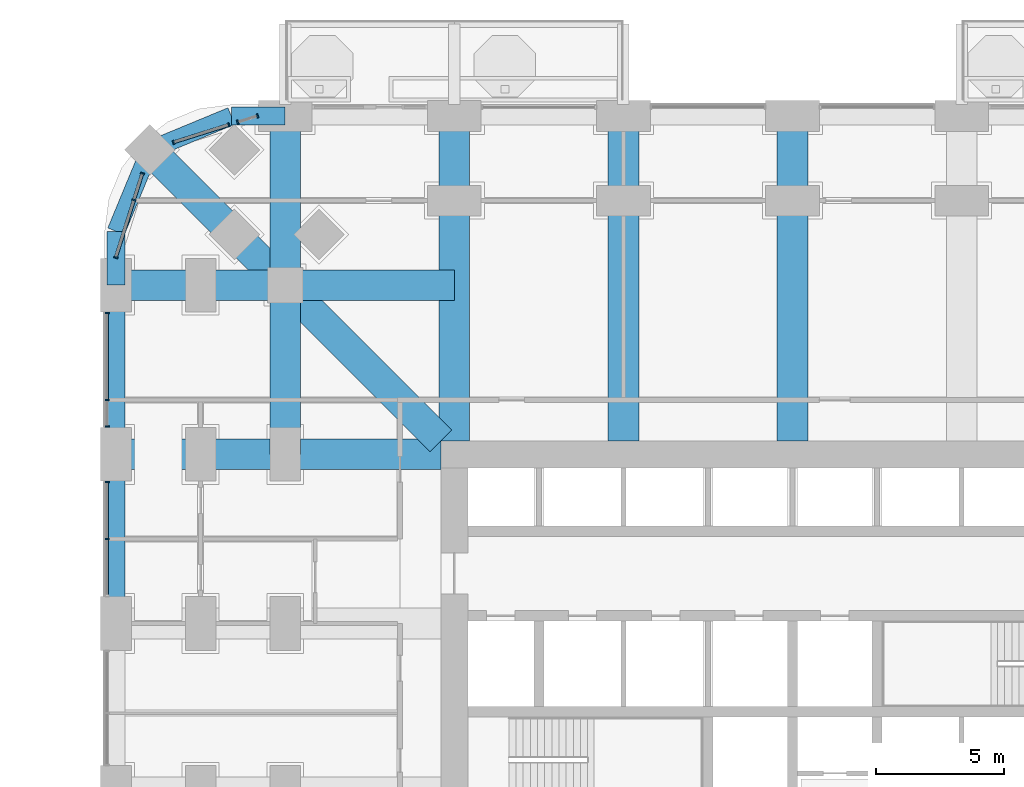
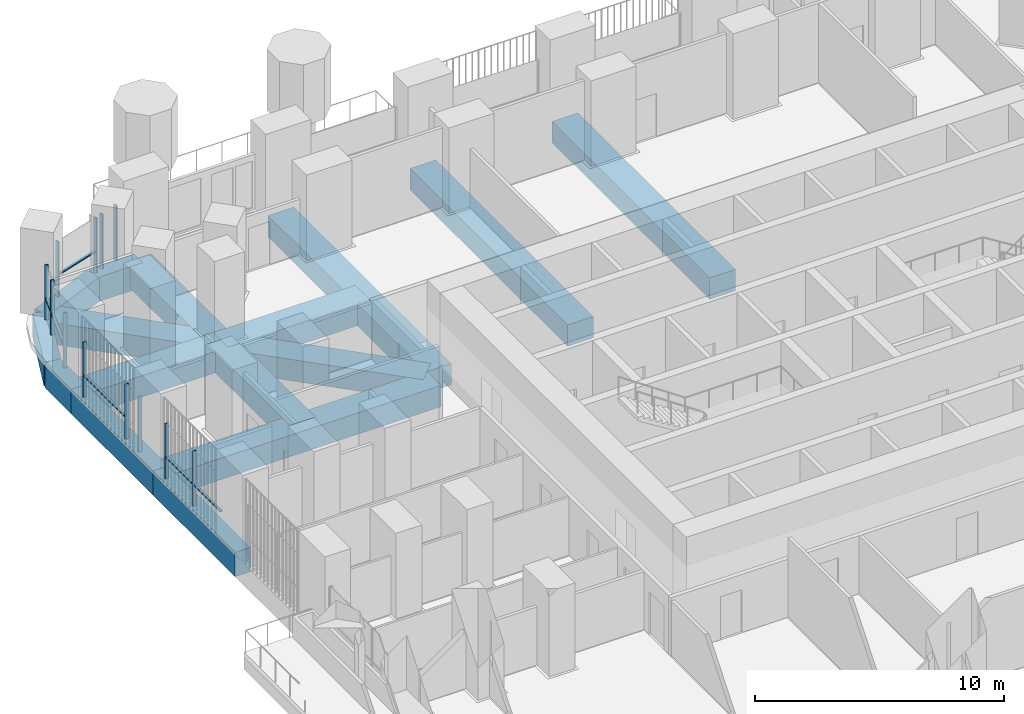
# One storey, part 7 of 27: 18 members, 16 beams, 5 elements without a shape of their own.
"""IFC4 building model written with IfcOpenShell, lengths in metres."""

from ifc_helpers import new_model, si_unit, direction, frame, origin, origin_2d, place, context, subcontext, project, spatial, rectangle, extrude, material, material_profile, profile_set, type_object, element, aggregate, save


model = new_model("IFC4")

# Units and contexts
model_context = context("Model", 3, precision=1e-05, world=origin(), true_north=direction((0.0, 1.0)))
body_context = subcontext(model_context, "Body", "Model", "MODEL_VIEW")
ifc_project = project(units=[si_unit("LENGTHUNIT", "METRE"), si_unit("AREAUNIT", "SQUARE_METRE"), si_unit("VOLUMEUNIT", "CUBIC_METRE"), si_unit("PLANEANGLEUNIT", "RADIAN"), si_unit("MASSUNIT", "GRAM", prefix="KILO")], contexts=[model_context])

# Site, building, storey
site_placement = place(None, origin())
site = spatial("IfcSite", under=ifc_project, at=site_placement, CompositionType="ELEMENT")
building_placement = place(site_placement, origin())
building = spatial("IfcBuilding", under=site, at=building_placement, Name="Cobogo Forest Laboratory Tower", CompositionType="ELEMENT")
storey_placement = place(building_placement, frame((0.0, 0.0, 46.5)))
storey = spatial("IfcBuildingStorey", under=building, at=storey_placement, Name="L10", CompositionType="ELEMENT", Elevation=46.5)

# Beams
ifc_material_1 = material(Name="Concrete HA-40 (C40/50)", Category="concrete")
ifc_material_profile_1 = material_profile(ifc_material_1, rectangle(XDim=1.199951171875, YDim=1.050048828125, at=origin_2d()), Name="RC 1200x1050")
ifc_profile_set_1 = profile_set([ifc_material_profile_1], Name="Concrete HA-40 (C40/50)")
beam_type_1 = type_object("IfcBeamType", Name="Laboratory floor wide beam 1200x1050", PredefinedType="BEAM", material=ifc_profile_set_1)
for number, where, z_axis, x_axis, name in (
    (1, (13.199951171875, 33.52490234375, -0.824951171875), (0.0, 1.0, 0.0), (-1.0, 0.0, 0.0), "RB1 R-3-N L10"),
    (2, (19.800048828125, 33.52490234375, -0.824951171875), (0.0, 1.0, 0.0), (-1.0, 0.0, 0.0), "RB1 R-4-N L10"),
    (3, (26.39990234375, 33.52490234375, -0.824951171875), (0.0, 1.0, 0.0), (-1.0, 0.0, 0.0), "RB1 R-5-N L10"),
    (4, (12.675048828125, 33.0, -0.824951171875), (-1.0, 0.0, 0.0), (0.0, -1.0, 0.0), "RB1 R-F-W L10"),
):
    element("IfcBeam", number, at=place(storey_placement, frame(where, z_axis=z_axis, x_axis=x_axis)), inside=storey, type_object=beam_type_1, Name=name, PredefinedType="BEAM", context=body_context, shape_type="SweptSolid", body=[
        extrude(rectangle(XDim=1.199951171875, YDim=1.050048828125, at=origin_2d()), origin(), (0.0, 0.0, 1.0), 12.675048828125),
    ])
beam_1_placement = place(storey_placement, frame((6.60009765625, 46.199951171875, -0.824951171875), z_axis=(0.0, -1.0, 0.0), x_axis=(1.0, 0.0, 0.0)))
element("IfcBeam", 5, at=beam_1_placement, inside=storey, type_object=beam_type_1, Name="RB1 G-NW-XF L10", PredefinedType="BEAM", context=body_context, shape_type="SweptSolid", body=[
    extrude(rectangle(XDim=1.199951171875, YDim=1.050048828125, at=origin_2d()), origin(), (0.0, 0.0, 1.0), 6.599853515625),
])
for number, where, z_axis, x_axis, name in (
    (6, (6.60009765625, 39.60009765625, -0.824951171875), (0.0, -1.0, 0.0), (1.0, 0.0, 0.0), "RB1 G-NW-XC L10"),
    (7, (0.0, 39.60009765625, -0.824951171875), (1.0, 0.0, 0.0), (0.0, 1.0, 0.0), "RB1 G-NW-YF L10"),
):
    element("IfcBeam", number, at=place(storey_placement, frame(where, z_axis=z_axis, x_axis=x_axis)), inside=storey, type_object=beam_type_1, Name=name, PredefinedType="BEAM", context=body_context, shape_type="SweptSolid", body=[
        extrude(rectangle(XDim=1.199951171875, YDim=1.050048828125, at=origin_2d()), origin(), (0.0, 0.0, 1.0), 6.60009765625),
    ])
beam_2_placement = place(storey_placement, frame((6.60009765625, 39.60009765625, -0.824951171875), z_axis=(1.0, 0.0, 0.0), x_axis=(0.0, 1.0, 0.0)))
element("IfcBeam", 8, at=beam_2_placement, inside=storey, type_object=beam_type_1, Name="RB1 G-NW-YC L10", PredefinedType="BEAM", context=body_context, shape_type="SweptSolid", body=[
    extrude(rectangle(XDim=1.199951171875, YDim=1.050048828125, at=origin_2d()), origin(), (0.0, 0.0, 1.0), 6.599853515625),
])
beam_3_placement = place(storey_placement, frame((1.318115234375, 44.882080078125, -0.824951171875), z_axis=(0.707106781187, -0.707106781187, 0.0), x_axis=(0.707106781187, 0.707106781187, 0.0)))
element("IfcBeam", 9, at=beam_3_placement, inside=storey, type_object=beam_type_1, Name="RB1 G-NW-D1 L10", PredefinedType="BEAM", context=body_context, shape_type="SweptSolid", body=[
    extrude(rectangle(XDim=1.199951171875, YDim=1.050048828125, at=origin_2d()), origin(), (0.0, 0.0, 1.0), 7.469970703125),
])
beam_4_placement = place(storey_placement, frame((6.60009765625, 39.60009765625, -0.824951171875), z_axis=(0.707092572697, -0.70712098939, 0.0), x_axis=(0.70712098939, 0.707092572697, 0.0)))
element("IfcBeam", 10, at=beam_4_placement, inside=storey, type_object=beam_type_1, Name="RB1 G-NW-D2 L10", PredefinedType="BEAM", context=body_context, shape_type="SweptSolid", body=[
    extrude(rectangle(XDim=1.199951171875, YDim=1.050048828125, at=origin_2d()), origin(), (0.0, 0.0, 1.0), 8.591552734375),
])

# Curtain wall, members
ifc_material_2 = material(Name="Aluminium curtain wall", Category="aluminium")
curtain_wall_type = type_object("IfcCurtainWallType", Name="CW-1 unitised curtain wall, clear glazing, laboratory floors zones A and B", PredefinedType="USERDEFINED", material=ifc_material_2)
curtain_wall_1_placement = place(storey_placement, origin())
curtain_wall_1 = element("IfcCurtainWall", 11, at=curtain_wall_1_placement, inside=storey, type_object=curtain_wall_type, Name="Curtain wall 24 L10", ObjectType="UNITISED CURTAIN WALL", PredefinedType="USERDEFINED")
ifc_material_3 = material(Name="Aluminium mullion", Category="aluminium")
ifc_material_profile_2 = material_profile(ifc_material_3, rectangle(XDim=0.06005859375, YDim=0.159912109375, at=origin_2d()), Name="AL 60x160")
ifc_profile_set_2 = profile_set([ifc_material_profile_2], Name="Aluminium mullion")
member_type_1 = type_object("IfcMemberType", Name="MU-1 aluminium mullion 60x160", PredefinedType="MULLION", material=ifc_profile_set_2)
member_1_placement = place(storey_placement, frame((5.521484375, 46.20947265625, 0.0), z_axis=(0.0, 0.0, 1.0), x_axis=(-0.953581504428, -0.301135043481, 0.0)))
member_1 = element("IfcMember", 12, at=member_1_placement, type_object=member_type_1, Name="CW-1 mullion 1", PredefinedType="MULLION", context=body_context, shape_type="SweptSolid", body=[
    extrude(rectangle(XDim=0.06005859375, YDim=0.159912109375, at=origin_2d()), origin(), (0.0, 0.0, 1.0), 2.699951171875),
])
member_2_placement = place(storey_placement, frame((4.74658203125, 45.96484375, 0.0), z_axis=(0.0, 0.0, 1.0), x_axis=(-0.953581504428, -0.301135043481, 0.0)))
member_2 = element("IfcMember", 13, at=member_2_placement, type_object=member_type_1, Name="CW-1 mullion 2", PredefinedType="MULLION", context=body_context, shape_type="SweptSolid", body=[
    extrude(rectangle(XDim=0.06005859375, YDim=0.159912109375, at=origin_2d()), origin(), (0.0, 0.0, 1.0), 2.699951171875),
])
aggregate(curtain_wall_1, [member_1, member_2])

curtain_wall_2_placement = place(storey_placement, origin())
curtain_wall_2 = element("IfcCurtainWall", 14, at=curtain_wall_2_placement, inside=storey, type_object=curtain_wall_type, Name="Curtain wall 25 L10", ObjectType="UNITISED CURTAIN WALL", PredefinedType="USERDEFINED")
member_3_placement = place(storey_placement, frame((4.39697265625, 45.854248046875, 0.0), z_axis=(0.0, 0.0, 1.0), x_axis=(-0.953581409645, -0.301135343623, 0.0)))
member_3 = element("IfcMember", 15, at=member_3_placement, type_object=member_type_1, Name="CW-1 mullion 1", PredefinedType="MULLION", context=body_context, shape_type="SweptSolid", body=[
    extrude(rectangle(XDim=0.06005859375, YDim=0.159912109375, at=origin_2d()), origin(), (0.0, 0.0, 1.0), 2.699951171875),
])
member_4_placement = place(storey_placement, frame((2.23876953125, 45.1728515625, 0.0), z_axis=(0.0, 0.0, 1.0), x_axis=(-0.953581409645, -0.301135343623, 0.0)))
member_4 = element("IfcMember", 16, at=member_4_placement, type_object=member_type_1, Name="CW-1 mullion 2", PredefinedType="MULLION", context=body_context, shape_type="SweptSolid", body=[
    extrude(rectangle(XDim=0.06005859375, YDim=0.159912109375, at=origin_2d()), origin(), (0.0, 0.0, 1.0), 2.699951171875),
])

curtain_wall_3_placement = place(storey_placement, origin())
curtain_wall_3 = element("IfcCurtainWall", 17, at=curtain_wall_3_placement, inside=storey, type_object=curtain_wall_type, Name="Curtain wall 26 L10", ObjectType="UNITISED CURTAIN WALL", PredefinedType="USERDEFINED")
member_5_placement = place(storey_placement, frame((1.02734375, 43.961181640625, 0.0), z_axis=(0.0, 0.0, 1.0), x_axis=(-0.30113535792, -0.95358140513, 0.0)))
member_5 = element("IfcMember", 18, at=member_5_placement, type_object=member_type_1, Name="CW-1 mullion 1", PredefinedType="MULLION", context=body_context, shape_type="SweptSolid", body=[
    extrude(rectangle(XDim=0.06005859375, YDim=0.159912109375, at=origin_2d()), origin(), (0.0, 0.0, 1.0), 2.699951171875),
])
member_6_placement = place(storey_placement, frame((0.69970703125, 42.924072265625, 0.0), z_axis=(0.0, 0.0, 1.0), x_axis=(-0.30113535792, -0.95358140513, 0.0)))
member_6 = element("IfcMember", 19, at=member_6_placement, type_object=member_type_1, Name="CW-1 mullion 2", PredefinedType="MULLION", context=body_context, shape_type="SweptSolid", body=[
    extrude(rectangle(XDim=0.06005859375, YDim=0.159912109375, at=origin_2d()), origin(), (0.0, 0.0, 1.0), 2.699951171875),
])
member_7_placement = place(storey_placement, frame((-0.00927734375, 40.6787109375, 0.0), z_axis=(0.0, 0.0, 1.0), x_axis=(-0.30113535792, -0.95358140513, 0.0)))
member_7 = element("IfcMember", 20, at=member_7_placement, type_object=member_type_1, Name="CW-1 mullion 3", PredefinedType="MULLION", context=body_context, shape_type="SweptSolid", body=[
    extrude(rectangle(XDim=0.06005859375, YDim=0.159912109375, at=origin_2d()), origin(), (0.0, 0.0, 1.0), 2.699951171875),
])

curtain_wall_4_placement = place(storey_placement, origin())
curtain_wall_4 = element("IfcCurtainWall", 21, at=curtain_wall_4_placement, inside=storey, type_object=curtain_wall_type, Name="Curtain wall 27 L10", ObjectType="UNITISED CURTAIN WALL", PredefinedType="USERDEFINED")
member_8_placement = place(storey_placement, frame((-0.35009765625, 38.52001953125, 0.0), z_axis=(0.0, 0.0, 1.0), x_axis=(0.0, -1.0, 0.0)))
member_8 = element("IfcMember", 22, at=member_8_placement, type_object=member_type_1, Name="CW-1 mullion 1", PredefinedType="MULLION", context=body_context, shape_type="SweptSolid", body=[
    extrude(rectangle(XDim=0.06005859375, YDim=0.159912109375, at=origin_2d()), origin(), (0.0, 0.0, 1.0), 2.699951171875),
])
member_9_placement = place(storey_placement, frame((-0.35009765625, 35.125, 0.0), z_axis=(0.0, 0.0, 1.0), x_axis=(0.0, -1.0, 0.0)))
member_9 = element("IfcMember", 23, at=member_9_placement, type_object=member_type_1, Name="CW-1 mullion 2", PredefinedType="MULLION", context=body_context, shape_type="SweptSolid", body=[
    extrude(rectangle(XDim=0.06005859375, YDim=0.159912109375, at=origin_2d()), origin(), (0.0, 0.0, 1.0), 2.699951171875),
])
member_10_placement = place(storey_placement, frame((-0.35009765625, 34.080078125, 0.0), z_axis=(0.0, 0.0, 1.0), x_axis=(0.0, -1.0, 0.0)))
member_10 = element("IfcMember", 24, at=member_10_placement, type_object=member_type_1, Name="CW-1 mullion 3", PredefinedType="MULLION", context=body_context, shape_type="SweptSolid", body=[
    extrude(rectangle(XDim=0.06005859375, YDim=0.159912109375, at=origin_2d()), origin(), (0.0, 0.0, 1.0), 2.699951171875),
])

curtain_wall_5_placement = place(storey_placement, origin())
curtain_wall_5 = element("IfcCurtainWall", 25, at=curtain_wall_5_placement, inside=storey, type_object=curtain_wall_type, Name="Curtain wall 28 L10", ObjectType="UNITISED CURTAIN WALL", PredefinedType="USERDEFINED")
member_11_placement = place(storey_placement, frame((-0.35009765625, 31.919921875, 0.0), z_axis=(0.0, 0.0, 1.0), x_axis=(0.0, -1.0, 0.0)))
member_11 = element("IfcMember", 26, at=member_11_placement, type_object=member_type_1, Name="CW-1 mullion 1", PredefinedType="MULLION", context=body_context, shape_type="SweptSolid", body=[
    extrude(rectangle(XDim=0.06005859375, YDim=0.159912109375, at=origin_2d()), origin(), (0.0, 0.0, 1.0), 2.699951171875),
])
member_12_placement = place(storey_placement, frame((-0.35009765625, 29.699951171875, 0.0), z_axis=(0.0, 0.0, 1.0), x_axis=(0.0, -1.0, 0.0)))
member_12 = element("IfcMember", 27, at=member_12_placement, type_object=member_type_1, Name="CW-1 mullion 2", PredefinedType="MULLION", context=body_context, shape_type="SweptSolid", body=[
    extrude(rectangle(XDim=0.06005859375, YDim=0.159912109375, at=origin_2d()), origin(), (0.0, 0.0, 1.0), 2.699951171875),
])

# Beams
ifc_material_profile_3 = material_profile(ifc_material_1, rectangle(XDim=0.699951171875, YDim=1.199951171875, at=origin_2d()), Name="RC 700x1200")
ifc_profile_set_3 = profile_set([ifc_material_profile_3], Name="Concrete HA-40 (C40/50)")
beam_type_2 = type_object("IfcBeamType", Name="Perimeter edge beam 700x1200", PredefinedType="BEAM", material=ifc_profile_set_3)
for number, where, z_axis, x_axis, name in (
    (28, (0.0, 26.39990234375, -0.89990234375), (0.0, 1.0, 0.0), (-1.0, 0.0, 0.0), "EB1 E-W4 L10"),
    (29, (0.0, 33.0, -0.89990234375), (0.0, 1.0, 0.0), (-1.0, 0.0, 0.0), "EB1 E-W5 L10"),
):
    element("IfcBeam", number, at=place(storey_placement, frame(where, z_axis=z_axis, x_axis=x_axis)), inside=storey, type_object=beam_type_2, Name=name, PredefinedType="BEAM", context=body_context, shape_type="SweptSolid", body=[
        extrude(rectangle(XDim=0.699951171875, YDim=1.199951171875, at=origin_2d()), origin(), (0.0, 0.0, 1.0), 6.60009765625),
    ])
beam_5_placement = place(storey_placement, frame((6.60009765625, 46.199951171875, -0.89990234375), z_axis=(-1.0, 0.0, 0.0), x_axis=(0.0, -1.0, 0.0)))
element("IfcBeam", 30, at=beam_5_placement, inside=storey, type_object=beam_type_2, Name="EB1 E-NWN1 L10", PredefinedType="BEAM", context=body_context, shape_type="SweptSolid", body=[
    extrude(rectangle(XDim=0.699951171875, YDim=1.199951171875, at=origin_2d()), origin(), (0.0, 0.0, 1.0), 2.10009765625),
])
beam_6_placement = place(storey_placement, frame((4.5, 46.199951171875, -0.89990234375), z_axis=(-0.923890694089, -0.382656484822, 0.0), x_axis=(0.382656484822, -0.923890694089, 0.0)))
element("IfcBeam", 31, at=beam_6_placement, inside=storey, type_object=beam_type_2, Name="EB1 E-NWN2 L10", PredefinedType="BEAM", context=body_context, shape_type="SweptSolid", body=[
    extrude(rectangle(XDim=0.699951171875, YDim=1.199951171875, at=origin_2d()), origin(), (0.0, 0.0, 1.0), 3.444091796875),
])
beam_7_placement = place(storey_placement, frame((0.0, 39.60009765625, -0.89990234375), z_axis=(0.0, 1.0, 0.0), x_axis=(-1.0, 0.0, 0.0)))
element("IfcBeam", 32, at=beam_7_placement, inside=storey, type_object=beam_type_2, Name="EB1 E-NWW1 L10", PredefinedType="BEAM", context=body_context, shape_type="SweptSolid", body=[
    extrude(rectangle(XDim=0.699951171875, YDim=1.199951171875, at=origin_2d()), origin(), (0.0, 0.0, 1.0), 2.099853515625),
])
beam_8_placement = place(storey_placement, frame((0.0, 41.699951171875, -0.89990234375), z_axis=(0.382691928466, 0.923876013265, 0.0), x_axis=(-0.923876013265, 0.382691928466, 0.0)))
element("IfcBeam", 33, at=beam_8_placement, inside=storey, type_object=beam_type_2, Name="EB1 E-NWW2 L10", PredefinedType="BEAM", context=body_context, shape_type="SweptSolid", body=[
    extrude(rectangle(XDim=0.699951171875, YDim=1.199951171875, at=origin_2d()), origin(), (0.0, 0.0, 1.0), 3.4443359375),
])

# Member
ifc_material_4 = material(Name="Aluminium transom", Category="aluminium")
ifc_material_profile_4 = material_profile(ifc_material_4, rectangle(XDim=0.1201171875, YDim=0.06005859375, at=origin_2d()), Name="AL 60x120")
ifc_profile_set_4 = profile_set([ifc_material_profile_4], Name="Aluminium transom")
member_type_2 = type_object("IfcMemberType", Name="TR-1 aluminium transom 60x120", PredefinedType="USERDEFINED", material=ifc_profile_set_4)
member_13_placement = place(storey_placement, frame((4.368408203125, 45.84521484375, 1.050048828125), z_axis=(-0.953604433273, -0.301062426819, 0.0), x_axis=(0.301062426819, -0.953604433273, 0.0)))
member_13 = element("IfcMember", 34, at=member_13_placement, type_object=member_type_2, Name="CW-1 transom 1.1", ObjectType="TRANSOM", PredefinedType="USERDEFINED", context=body_context, shape_type="SweptSolid", body=[
    extrude(rectangle(XDim=0.1201171875, YDim=0.06005859375, at=origin_2d()), origin(), (0.0, 0.0, 1.0), 2.203369140625),
])

aggregate(curtain_wall_2, [member_3, member_4, member_13])

member_14_placement = place(storey_placement, frame((1.018310546875, 43.9326171875, 1.050048828125), z_axis=(-0.301222320394, -0.953553938535, 0.0), x_axis=(0.953553938535, -0.301222320394, 0.0)))
member_14 = element("IfcMember", 35, at=member_14_placement, type_object=member_type_2, Name="CW-1 transom 1.1", ObjectType="TRANSOM", PredefinedType="USERDEFINED", context=body_context, shape_type="SweptSolid", body=[
    extrude(rectangle(XDim=0.1201171875, YDim=0.06005859375, at=origin_2d()), origin(), (0.0, 0.0, 1.0), 1.02783203125),
])

member_15_placement = place(storey_placement, frame((0.690673828125, 42.8955078125, 1.050048828125), z_axis=(-0.301090633022, -0.953595527835, 0.0), x_axis=(0.953595527835, -0.301090633022, 0.0)))
member_15 = element("IfcMember", 36, at=member_15_placement, type_object=member_type_2, Name="CW-1 transom 2.1", ObjectType="TRANSOM", PredefinedType="USERDEFINED", context=body_context, shape_type="SweptSolid", body=[
    extrude(rectangle(XDim=0.1201171875, YDim=0.06005859375, at=origin_2d()), origin(), (0.0, 0.0, 1.0), 2.294677734375),
])

aggregate(curtain_wall_3, [member_5, member_6, member_7, member_14, member_15])

member_16_placement = place(storey_placement, frame((-0.35009765625, 38.489990234375, 1.050048828125), z_axis=(0.0, -1.0, 0.0), x_axis=(1.0, 0.0, 0.0)))
member_16 = element("IfcMember", 37, at=member_16_placement, type_object=member_type_2, Name="CW-1 transom 1.1", ObjectType="TRANSOM", PredefinedType="USERDEFINED", context=body_context, shape_type="SweptSolid", body=[
    extrude(rectangle(XDim=0.1201171875, YDim=0.06005859375, at=origin_2d()), origin(), (0.0, 0.0, 1.0), 3.3349609375),
])

aggregate(curtain_wall_4, [member_8, member_9, member_10, member_16])

member_17_placement = place(storey_placement, frame((-0.35009765625, 31.889892578125, 1.050048828125), z_axis=(0.0, -1.0, 0.0), x_axis=(1.0, 0.0, 0.0)))
member_17 = element("IfcMember", 38, at=member_17_placement, type_object=member_type_2, Name="CW-1 transom 1.1", ObjectType="TRANSOM", PredefinedType="USERDEFINED", context=body_context, shape_type="SweptSolid", body=[
    extrude(rectangle(XDim=0.1201171875, YDim=0.06005859375, at=origin_2d()), origin(), (0.0, 0.0, 1.0), 2.159912109375),
])

member_18_placement = place(storey_placement, frame((-0.35009765625, 29.669921875, 1.050048828125), z_axis=(0.0, -1.0, 0.0), x_axis=(1.0, 0.0, 0.0)))
member_18 = element("IfcMember", 39, at=member_18_placement, type_object=member_type_2, Name="CW-1 transom 2.1", ObjectType="TRANSOM", PredefinedType="USERDEFINED", context=body_context, shape_type="SweptSolid", body=[
    extrude(rectangle(XDim=0.1201171875, YDim=0.06005859375, at=origin_2d()), origin(), (0.0, 0.0, 1.0), 2.159912109375),
])

aggregate(curtain_wall_5, [member_11, member_12, member_17, member_18])

save(model, "model.ifc")
